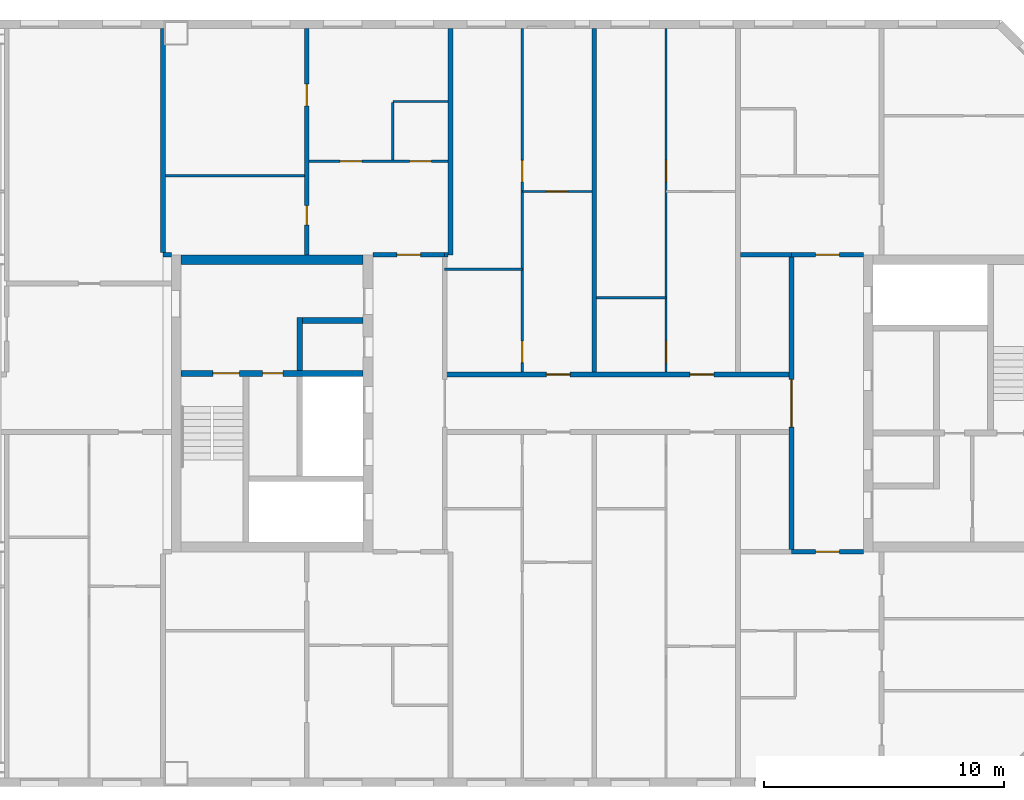
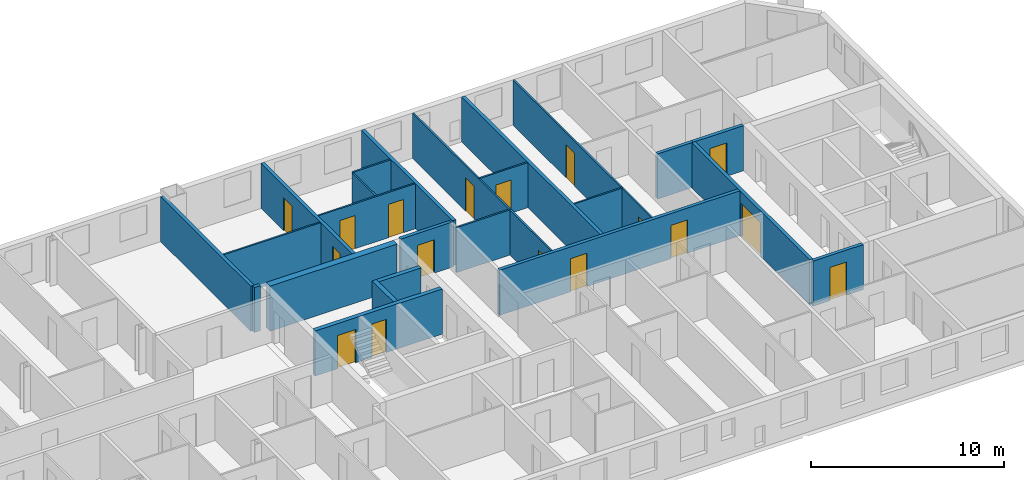
# One storey, part 15 of 19: 25 walls, 17 doors, 17 openings.
"""IFC4 building model written with IfcOpenShell, lengths in metres."""

import ifcopenshell
import ifcopenshell.guid

model = None  # the IFC model being written
_history = None  # IfcOwnerHistory: only IFC2X3 demands one
_inside = {}  # id of a spatial element -> (the spatial element, [elements in it])
_under = {}  # id of a project, library or spatial element -> (it, [spatial elements below it])
_declared = {}  # id of a project -> (the project, [libraries it declares])
_typed = {}  # id of a type object -> (the type object, [elements of that type])
_made_of = {}  # id of a material, layer set ... -> (it, [elements and type objects made of it])


def new_model(schema):
    """Start an empty IFC model of exactly this schema.

    Asked for "IFC4X3", IfcOpenShell would pick the latest addendum, in which some entities
    have other attributes; the version numbers below select the first issue.
    IFC2X3 requires an IfcOwnerHistory on every rooted entity: one is made here for all.
    """
    global model, _history
    if schema == "IFC4X3":
        model = ifcopenshell.file(schema_version=(4, 3, 0, 0))
    else:
        model = ifcopenshell.file(schema=schema)
    _inside.clear()
    _under.clear()
    _declared.clear()
    _typed.clear()
    _made_of.clear()
    _history = None
    if model.schema == "IFC2X3":
        org = make("IfcOrganization", Name="unknown")
        user = make(
            "IfcPersonAndOrganization",
            ThePerson=make("IfcPerson", FamilyName="unknown"),
            TheOrganization=org,
        )
        app = make(
            "IfcApplication",
            ApplicationDeveloper=org,
            Version="unknown",
            ApplicationFullName="unknown",
            ApplicationIdentifier="unknown",
        )
        _history = make(
            "IfcOwnerHistory",
            OwningUser=user,
            OwningApplication=app,
            ChangeAction="ADDED",
            CreationDate=0,
        )
    return model


def make(cls, **values):
    """One entity of the class cls with the attributes given. An attribute that is None is left unset."""
    return model.create_entity(
        cls, **{name: value for name, value in values.items() if value is not None}
    )


def rooted(cls, **values):
    """An entity with a GlobalId (a new one), such as an element, a storey or a relation."""
    return make(cls, GlobalId=ifcopenshell.guid.new(), OwnerHistory=_history, **values)


def si_unit(unit_type, name, prefix=None):
    """IfcSIUnit, for example si_unit("LENGTHUNIT", "METRE", prefix="MILLI")."""
    return make("IfcSIUnit", UnitType=unit_type, Prefix=prefix, Name=name)


def assignment(units):
    """IfcUnitAssignment: the units of a project."""
    return None if units is None else make("IfcUnitAssignment", Units=units)


def point(xyz):
    """IfcCartesianPoint."""
    return None if xyz is None else make("IfcCartesianPoint", Coordinates=xyz)


def direction(xyz):
    """IfcDirection."""
    return None if xyz is None else make("IfcDirection", DirectionRatios=xyz)


def frame(location, z_axis=None, x_axis=None):
    """IfcAxis2Placement3D, a coordinate frame: its origin and axes. An axis left out is left unset."""
    return make(
        "IfcAxis2Placement3D",
        Location=point(location),
        Axis=direction(z_axis),
        RefDirection=direction(x_axis),
    )


def frame_2d(location, x_axis=None):
    """IfcAxis2Placement2D, a coordinate frame in the plane: its origin and x axis."""
    return make(
        "IfcAxis2Placement2D", Location=point(location), RefDirection=direction(x_axis)
    )


def origin():
    """The frame at (0, 0, 0) with its axes left unset."""
    return frame((0.0, 0.0, 0.0))


def place(relative_to, where):
    """IfcLocalPlacement: puts the frame where relative to a parent placement (None: the world)."""
    return make(
        "IfcLocalPlacement", PlacementRelTo=relative_to, RelativePlacement=where
    )


def context(
    kind, dimensions, precision=None, world=None, true_north=None, identifier=None
):
    """IfcGeometricRepresentationContext, for example the 3D "Model" context."""
    return make(
        "IfcGeometricRepresentationContext",
        ContextIdentifier=identifier,
        ContextType=kind,
        CoordinateSpaceDimension=dimensions,
        Precision=precision,
        WorldCoordinateSystem=world,
        TrueNorth=true_north,
    )


def subcontext(parent, identifier, kind, view, scale=None):
    """IfcGeometricRepresentationSubContext, for example "Body" below "Model"."""
    return make(
        "IfcGeometricRepresentationSubContext",
        ContextIdentifier=identifier,
        ContextType=kind,
        ParentContext=parent,
        TargetScale=scale,
        TargetView=view,
    )


def project(units=None, contexts=None):
    """IfcProject with its units and contexts."""
    return rooted(
        "IfcProject",
        Name="project",
        RepresentationContexts=contexts,
        UnitsInContext=assignment(units),
    )


def spatial(cls, under=None, at=None, **own):
    """A site, building, storey or space (cls), placed at a placement, below another one or the project."""
    s = rooted(cls, ObjectPlacement=at, **own)
    if under is not None:
        _under.setdefault(under.id(), (under, []))[1].append(s)
    return s


def profile(cls, at=None, kind="AREA", **sizes):
    """A parametric profile (cls). Its sizes go by their IFC names, for example OverallWidth=200.0."""
    return make(cls, ProfileType=kind, Position=at, **sizes)


def rectangle(**sizes):
    """IfcRectangleProfileDef."""
    return profile("IfcRectangleProfileDef", **sizes)


def extrude(swept, where, along, depth):
    """IfcExtrudedAreaSolid: the profile swept, set in the frame where, extruded along a direction by depth."""
    return make(
        "IfcExtrudedAreaSolid",
        SweptArea=swept,
        Position=where,
        ExtrudedDirection=direction(along),
        Depth=depth,
    )


def shape(context_of_items, identifier, shape_type, items):
    """IfcShapeRepresentation: the items that make up one representation, for example the "Body"."""
    return make(
        "IfcShapeRepresentation",
        ContextOfItems=context_of_items,
        RepresentationIdentifier=identifier,
        RepresentationType=shape_type,
        Items=items,
    )


def material(Name=None, Category=None):
    """IfcMaterial."""
    return make("IfcMaterial", Name=Name, Category=Category)


def layer(
    of_material, thickness, ventilated=None, Name=None, Category=None, Priority=None
):
    """IfcMaterialLayer: one layer of a wall or slab, of a material (None: an air gap)."""
    return make(
        "IfcMaterialLayer",
        Material=of_material,
        LayerThickness=thickness,
        IsVentilated=ventilated,
        Name=Name,
        Category=Category,
        Priority=Priority,
    )


def layer_set(layers, Name=None):
    """IfcMaterialLayerSet."""
    return make("IfcMaterialLayerSet", MaterialLayers=layers, LayerSetName=Name)


def made_of(thing, what):
    """Note that an element or type object is made of a material, layer set ...; save() writes the relation."""
    if what is not None:
        _made_of.setdefault(what.id(), (what, []))[1].append(thing)
    return thing


def type_object(cls, material=None, **own):
    """A type object (cls), such as IfcWallType, which elements share."""
    return made_of(rooted(cls, **own), material)


def element(
    cls,
    number,
    at=None,
    inside=None,
    cuts=None,
    type_object=None,
    material=None,
    context=None,
    identifier="Body",
    shape_type=None,
    held_by="IfcProductDefinitionShape",
    body=None,
    shapes=None,
    **own,
):
    """One element of the class cls, such as IfcWall. Its Tag is "e" and its number.

    at: its placement. inside: the storey or other place that contains it. cuts: it is an
    opening in that element (IfcRelVoidsElement). A single representation is given by context,
    identifier, shape_type and body (its items); several are given by shapes. held_by: the class
    of the entity that holds the representations. save() writes the other relations.
    """
    e = rooted(cls, Tag="e%d" % number, ObjectPlacement=at, **own)
    if body is not None:
        shapes = [shape(context, identifier, shape_type, body)]
    if shapes is not None:
        e.Representation = make(held_by, Representations=shapes)
    if inside is not None:
        _inside.setdefault(inside.id(), (inside, []))[1].append(e)
    if cuts is not None:
        rooted(
            "IfcRelVoidsElement", RelatingBuildingElement=cuts, RelatedOpeningElement=e
        )
    if type_object is not None:
        _typed.setdefault(type_object.id(), (type_object, []))[1].append(e)
    return made_of(e, material)


def fill(opening, filler):
    """IfcRelFillsElement: the door or window that sits in an opening."""
    return rooted(
        "IfcRelFillsElement",
        RelatingOpeningElement=opening,
        RelatedBuildingElement=filler,
    )


def aggregate(whole, parts):
    """IfcRelAggregates: a whole, such as a stair, and the parts it consists of."""
    return rooted("IfcRelAggregates", RelatingObject=whole, RelatedObjects=parts)


def save(model, path):
    """Write the relations noted so far, then the file.

    IfcRelAggregates (storeys below a building ...), IfcRelContainedInSpatialStructure (elements
    in a storey), IfcRelDefinesByType, IfcRelAssociatesMaterial and IfcRelDeclares: one each for
    every whole, place, type object, material and project.
    """
    for whole, parts in _under.values():
        aggregate(whole, parts)
    for where, things in _inside.values():
        rooted(
            "IfcRelContainedInSpatialStructure",
            RelatedElements=things,
            RelatingStructure=where,
        )
    for kind, things in _typed.values():
        rooted("IfcRelDefinesByType", RelatedObjects=things, RelatingType=kind)
    for what, things in _made_of.values():
        rooted("IfcRelAssociatesMaterial", RelatedObjects=things, RelatingMaterial=what)
    for by, libraries in _declared.values():
        rooted("IfcRelDeclares", RelatingContext=by, RelatedDefinitions=libraries)
    model.write(path)


model = new_model("IFC4")

# Units and contexts
model_context = context("Model", 3, precision=1e-05, world=origin(), true_north=direction((0.0, 1.0)))
body_context = subcontext(model_context, "Body", "Model", "MODEL_VIEW")
ifc_project = project(units=[si_unit("LENGTHUNIT", "METRE"), si_unit("AREAUNIT", "SQUARE_METRE"), si_unit("VOLUMEUNIT", "CUBIC_METRE"), si_unit("PLANEANGLEUNIT", "RADIAN"), si_unit("MASSUNIT", "GRAM", prefix="KILO")], contexts=[model_context])

# Site, building, storey
site_placement = place(None, origin())
site = spatial("IfcSite", under=ifc_project, at=site_placement, CompositionType="ELEMENT")
building_placement = place(site_placement, origin())
building = spatial("IfcBuilding", under=site, at=building_placement, Name="Tuart Gate Housing", CompositionType="ELEMENT")
storey_placement = place(building_placement, frame((0.0, 0.0, 230.699951171875)))
storey = spatial("IfcBuildingStorey", under=building, at=storey_placement, Name="L65", CompositionType="ELEMENT", Elevation=230.699951171875)

# Wall, openings, doors
ifc_material_1 = material(Name="Concrete C40", Category="concrete")
ifc_layer_1 = layer(ifc_material_1, 0.25)
ifc_layer_set_1 = layer_set([ifc_layer_1], Name="Core wall 250 C40")
wall_type_1 = type_object("IfcWallType", Name="Core wall 250 C40", PredefinedType="SHEAR", material=ifc_layer_set_1)
wall_1_placement = place(storey_placement, frame((139.360107421875, 71.25, 0.0), z_axis=(0.0, 0.0, 1.0), x_axis=(-1.0, 0.0, 0.0)))
wall_1 = element("IfcWall", 1, at=wall_1_placement, inside=storey, type_object=wall_type_1, Name="Core wall BG.2", PredefinedType="SHEAR", context=body_context, shape_type="SweptSolid", body=[
    extrude(rectangle(XDim=7.60009765625, YDim=0.25, at=frame_2d((3.800048828125, 0.0))), origin(), (0.0, 0.0, 1.0), 2.85009765625),
])
opening_1_placement = place(wall_1_placement, frame((5.175048828125, 0.0, 0.0)))
opening_1 = element("IfcOpeningElement", 2, at=opening_1_placement, cuts=wall_1, Name="Opening D2574", PredefinedType="OPENING", context=body_context, shape_type="SweptSolid", body=[
    extrude(rectangle(XDim=1.10009765625, YDim=2.10009765625, at=frame_2d((0.550048828125, 1.050048828125))), frame((0.0, 0.135009765625, 0.0), z_axis=(0.0, -1.0, 0.0), x_axis=(1.0, 0.0, 0.0)), (0.0, 0.0, 1.0), 0.27001953125),
])
opening_2_placement = place(wall_1_placement, frame((3.35009765625, 0.0, 0.0)))
opening_2 = element("IfcOpeningElement", 3, at=opening_2_placement, cuts=wall_1, Name="Opening D2573", PredefinedType="OPENING", context=body_context, shape_type="SweptSolid", body=[
    extrude(rectangle(XDim=0.85009765625, YDim=2.10009765625, at=frame_2d((0.425048828125, 1.050048828125))), frame((0.0, 0.135009765625, 0.0), z_axis=(0.0, -1.0, 0.0), x_axis=(1.0, 0.0, 0.0)), (0.0, 0.0, 1.0), 0.27001953125),
])
ifc_material_2 = material(Name="Steel fire door", Category="steel")
door_type_1 = type_object("IfcDoorType", Name="Riser door 850 x 2100", OperationType="SINGLE_SWING_LEFT", PredefinedType="DOOR", material=ifc_material_2)
door_1_placement = place(opening_2_placement, origin())
door_1 = element("IfcDoor", 4, at=door_1_placement, inside=storey, type_object=door_type_1, Name="Service room door BG.W1", OperationType="SINGLE_SWING_LEFT", OverallHeight=2.10009765625, OverallWidth=0.85009765625, PredefinedType="DOOR", context=body_context, shape_type="SweptSolid", body=[
    extrude(rectangle(XDim=0.85009765625, YDim=2.10009765625, at=frame_2d((0.425048828125, 1.050048828125))), frame((0.0, 0.02490234375, 0.0), z_axis=(0.0, -1.0, 0.0), x_axis=(1.0, 0.0, 0.0)), (0.0, 0.0, 1.0), 0.050048828125),
])
fill(opening_2, door_1)
ifc_material_3 = material(Name="Steel fire door", Category="steel")
door_type_2 = type_object("IfcDoorType", Name="Stair door 1100 x 2100", OperationType="SINGLE_SWING_LEFT", PredefinedType="DOOR", material=ifc_material_3)
door_2_placement = place(opening_1_placement, origin())
door_2 = element("IfcDoor", 5, at=door_2_placement, inside=storey, type_object=door_type_2, Name="Stair door BG.SD", OperationType="SINGLE_SWING_LEFT", OverallHeight=2.10009765625, OverallWidth=1.10009765625, PredefinedType="DOOR", context=body_context, shape_type="SweptSolid", body=[
    extrude(rectangle(XDim=1.10009765625, YDim=2.10009765625, at=frame_2d((0.550048828125, 1.050048828125))), frame((0.0, 0.02490234375, 0.0), z_axis=(0.0, -1.0, 0.0), x_axis=(1.0, 0.0, 0.0)), (0.0, 0.0, 1.0), 0.050048828125),
])
fill(opening_1, door_2)

# Walls
wall_2_placement = place(storey_placement, frame((139.360107421875, 73.449951171875, 0.0), z_axis=(0.0, 0.0, 1.0), x_axis=(-1.0, 0.0, 0.0)))
element("IfcWall", 6, at=wall_2_placement, inside=storey, type_object=wall_type_1, Name="Core wall BG.3", PredefinedType="SHEAR", context=body_context, shape_type="SweptSolid", body=[
    extrude(rectangle(XDim=2.525146484375, YDim=0.25, at=frame_2d((1.2626953125, 0.0))), origin(), (0.0, 0.0, 1.0), 2.85009765625),
])
wall_3_placement = place(storey_placement, frame((136.7099609375, 71.375, 0.0), z_axis=(0.0, 0.0, 1.0), x_axis=(0.0, 1.0, 0.0)))
element("IfcWall", 7, at=wall_3_placement, inside=storey, type_object=wall_type_1, Name="Core wall BG.5", PredefinedType="SHEAR", context=body_context, shape_type="SweptSolid", body=[
    extrude(rectangle(XDim=2.199951171875, YDim=0.25, at=frame_2d((1.10009765625, 0.0))), origin(), (0.0, 0.0, 1.0), 2.85009765625),
])
ifc_material_4 = material(Name="Concrete C40", Category="concrete")
ifc_layer_2 = layer(ifc_material_4, 0.39990234375)
ifc_layer_set_2 = layer_set([ifc_layer_2], Name="Core wall 400 C40")
wall_type_2 = type_object("IfcWallType", Name="Core wall 400 C40", PredefinedType="SHEAR", material=ifc_layer_set_2)
wall_4_placement = place(storey_placement, frame((139.360107421875, 76.0, 0.0), z_axis=(0.0, 0.0, 1.0), x_axis=(-1.0, 0.0, 0.0)))
element("IfcWall", 8, at=wall_4_placement, inside=storey, type_object=wall_type_2, Name="Core wall BG north", PredefinedType="SHEAR", context=body_context, shape_type="SweptSolid", body=[
    extrude(rectangle(XDim=7.60009765625, YDim=0.39990234375, at=frame_2d((3.800048828125, 0.0))), origin(), (0.0, 0.0, 1.0), 2.85009765625),
])

# Wall, openings, doors
ifc_material_5 = material(Name="Concrete masonry 15 MPa", Category="masonry")
ifc_layer_3 = layer(ifc_material_5, 0.199951171875)
ifc_layer_set_3 = layer_set([ifc_layer_3], Name="Corridor wall masonry 200")
wall_type_3 = type_object("IfcWallType", Name="Corridor wall masonry 200", PredefinedType="PARTITIONING", material=ifc_layer_set_3)
wall_5_placement = place(storey_placement, frame((142.760009765625, 71.199951171875, 0.0), z_axis=(0.0, 0.0, 1.0), x_axis=(1.0, 0.0, 0.0)))
wall_5 = element("IfcWall", 9, at=wall_5_placement, inside=storey, type_object=wall_type_3, Name="Corridor wall masonry 200", PredefinedType="PARTITIONING", context=body_context, shape_type="SweptSolid", body=[
    extrude(rectangle(XDim=14.47998046875, YDim=0.199951171875, at=frame_2d((7.239990234375, 0.0))), origin(), (0.0, 0.0, 1.0), 2.85009765625),
])
opening_3_placement = place(wall_5_placement, frame((4.239990234375, 0.0, 0.0)))
opening_3 = element("IfcOpeningElement", 10, at=opening_3_placement, cuts=wall_5, Name="Opening D2575", PredefinedType="OPENING", context=body_context, shape_type="SweptSolid", body=[
    extrude(rectangle(XDim=1.0, YDim=2.10009765625, at=frame_2d((0.5, 1.050048828125))), frame((0.0, 0.10986328125, 0.0), z_axis=(0.0, -1.0, 0.0), x_axis=(1.0, 0.0, 0.0)), (0.0, 0.0, 1.0), 0.219970703125),
])
opening_4_placement = place(wall_5_placement, frame((10.239990234375, 0.0, 0.0)))
opening_4 = element("IfcOpeningElement", 11, at=opening_4_placement, cuts=wall_5, Name="Opening D2576", PredefinedType="OPENING", context=body_context, shape_type="SweptSolid", body=[
    extrude(rectangle(XDim=1.0, YDim=2.10009765625, at=frame_2d((0.5, 1.050048828125))), frame((0.0, 0.10986328125, 0.0), z_axis=(0.0, -1.0, 0.0), x_axis=(1.0, 0.0, 0.0)), (0.0, 0.0, 1.0), 0.219970703125),
])
ifc_material_6 = material(Name="Timber door leaf in steel frame", Category="steel")
door_type_3 = type_object("IfcDoorType", Name="Flat entrance door 1000", OperationType="SINGLE_SWING_LEFT", PredefinedType="DOOR", material=ifc_material_6)
door_3_placement = place(opening_3_placement, origin())
door_3 = element("IfcDoor", 12, at=door_3_placement, inside=storey, type_object=door_type_3, Name="Flat entrance door", OperationType="SINGLE_SWING_LEFT", OverallHeight=2.10009765625, OverallWidth=1.0, PredefinedType="DOOR", context=body_context, shape_type="SweptSolid", body=[
    extrude(rectangle(XDim=1.0, YDim=2.10009765625, at=frame_2d((0.5, 1.050048828125))), frame((0.0, 0.02490234375, 0.0), z_axis=(0.0, -1.0, 0.0), x_axis=(1.0, 0.0, 0.0)), (0.0, 0.0, 1.0), 0.050048828125),
])
fill(opening_3, door_3)
door_4_placement = place(opening_4_placement, origin())
door_4 = element("IfcDoor", 13, at=door_4_placement, inside=storey, type_object=door_type_3, Name="Flat entrance door", OperationType="SINGLE_SWING_LEFT", OverallHeight=2.10009765625, OverallWidth=1.0, PredefinedType="DOOR", context=body_context, shape_type="SweptSolid", body=[
    extrude(rectangle(XDim=1.0, YDim=2.10009765625, at=frame_2d((0.5, 1.050048828125))), frame((0.0, 0.02490234375, 0.0), z_axis=(0.0, -1.0, 0.0), x_axis=(1.0, 0.0, 0.0)), (0.0, 0.0, 1.0), 0.050048828125),
])
fill(opening_4, door_4)

# Wall, opening, door
ifc_material_7 = material(Name="Concrete masonry 15 MPa", Category="masonry")
ifc_layer_4 = layer(ifc_material_7, 0.199951171875)
ifc_layer_set_4 = layer_set([ifc_layer_4], Name="Enclosure wall masonry 200")
wall_type_4 = type_object("IfcWallType", Name="Enclosure wall masonry 200", PredefinedType="PARTITIONING", material=ifc_layer_set_4)
wall_6_placement = place(storey_placement, frame((157.239990234375, 63.800048828125, 0.0), z_axis=(0.0, 0.0, 1.0), x_axis=(1.0, 0.0, 0.0)))
wall_6 = element("IfcWall", 14, at=wall_6_placement, inside=storey, type_object=wall_type_4, Name="Enclosure wall masonry 200", PredefinedType="PARTITIONING", context=body_context, shape_type="SweptSolid", body=[
    extrude(rectangle(XDim=3.0, YDim=0.199951171875, at=frame_2d((1.5, 0.0))), origin(), (0.0, 0.0, 1.0), 2.85009765625),
])
opening_5_placement = place(wall_6_placement, frame((1.0, 0.0, 0.0)))
opening_5 = element("IfcOpeningElement", 15, at=opening_5_placement, cuts=wall_6, Name="Opening D2591", PredefinedType="OPENING", context=body_context, shape_type="SweptSolid", body=[
    extrude(rectangle(XDim=1.0, YDim=2.10009765625, at=frame_2d((0.5, 1.050048828125))), frame((0.0, 0.10986328125, 0.0), z_axis=(0.0, -1.0, 0.0), x_axis=(1.0, 0.0, 0.0)), (0.0, 0.0, 1.0), 0.219970703125),
])
door_5_placement = place(opening_5_placement, frame((1.0, 0.0, 0.0), z_axis=(0.0, 0.0, 1.0), x_axis=(-1.0, 0.0, 0.0)))
door_5 = element("IfcDoor", 16, at=door_5_placement, inside=storey, type_object=door_type_3, Name="Flat entrance door", OperationType="SINGLE_SWING_LEFT", OverallHeight=2.10009765625, OverallWidth=1.0, PredefinedType="DOOR", context=body_context, shape_type="SweptSolid", body=[
    extrude(rectangle(XDim=1.0, YDim=2.10009765625, at=frame_2d((0.5, 1.050048828125))), frame((0.0, 0.025146484375, 0.0), z_axis=(0.0, -1.0, 0.0), x_axis=(1.0, 0.0, 0.0)), (0.0, 0.0, 1.0), 0.050048828125),
])
fill(opening_5, door_5)

wall_7_placement = place(storey_placement, frame((139.760009765625, 76.199951171875, 0.0), z_axis=(0.0, 0.0, 1.0), x_axis=(1.0, 0.0, 0.0)))
wall_7 = element("IfcWall", 17, at=wall_7_placement, inside=storey, type_object=wall_type_4, Name="Enclosure wall masonry 200", PredefinedType="PARTITIONING", context=body_context, shape_type="SweptSolid", body=[
    extrude(rectangle(XDim=3.0, YDim=0.199951171875, at=frame_2d((1.5, 0.0))), origin(), (0.0, 0.0, 1.0), 2.85009765625),
])
opening_6_placement = place(wall_7_placement, frame((1.0, 0.0, 0.0)))
opening_6 = element("IfcOpeningElement", 18, at=opening_6_placement, cuts=wall_7, Name="Opening D2571", PredefinedType="OPENING", context=body_context, shape_type="SweptSolid", body=[
    extrude(rectangle(XDim=1.0, YDim=2.10009765625, at=frame_2d((0.5, 1.050048828125))), frame((0.0, 0.10986328125, 0.0), z_axis=(0.0, -1.0, 0.0), x_axis=(1.0, 0.0, 0.0)), (0.0, 0.0, 1.0), 0.219970703125),
])
ifc_material_8 = material(Name="Timber door leaf in steel frame", Category="steel")
door_type_4 = type_object("IfcDoorType", Name="Flat entrance door 1000 RH", OperationType="SINGLE_SWING_RIGHT", PredefinedType="DOOR", material=ifc_material_8)
door_6_placement = place(opening_6_placement, origin())
door_6 = element("IfcDoor", 19, at=door_6_placement, inside=storey, type_object=door_type_4, Name="Flat entrance door", OperationType="SINGLE_SWING_RIGHT", OverallHeight=2.10009765625, OverallWidth=1.0, PredefinedType="DOOR", context=body_context, shape_type="SweptSolid", body=[
    extrude(rectangle(XDim=1.0, YDim=2.10009765625, at=frame_2d((0.5, 1.050048828125))), frame((0.0, 0.02490234375, 0.0), z_axis=(0.0, -1.0, 0.0), x_axis=(1.0, 0.0, 0.0)), (0.0, 0.0, 1.0), 0.050048828125),
])
fill(opening_6, door_6)

wall_8_placement = place(storey_placement, frame((157.239990234375, 76.199951171875, 0.0), z_axis=(0.0, 0.0, 1.0), x_axis=(1.0, 0.0, 0.0)))
wall_8 = element("IfcWall", 20, at=wall_8_placement, inside=storey, type_object=wall_type_4, Name="Enclosure wall masonry 200", PredefinedType="PARTITIONING", context=body_context, shape_type="SweptSolid", body=[
    extrude(rectangle(XDim=3.0, YDim=0.199951171875, at=frame_2d((1.5, 0.0))), origin(), (0.0, 0.0, 1.0), 2.85009765625),
])
opening_7_placement = place(wall_8_placement, frame((1.0, 0.0, 0.0)))
opening_7 = element("IfcOpeningElement", 21, at=opening_7_placement, cuts=wall_8, Name="Opening D2572", PredefinedType="OPENING", context=body_context, shape_type="SweptSolid", body=[
    extrude(rectangle(XDim=1.0, YDim=2.10009765625, at=frame_2d((0.5, 1.050048828125))), frame((0.0, 0.10986328125, 0.0), z_axis=(0.0, -1.0, 0.0), x_axis=(1.0, 0.0, 0.0)), (0.0, 0.0, 1.0), 0.219970703125),
])
door_7_placement = place(opening_7_placement, origin())
door_7 = element("IfcDoor", 22, at=door_7_placement, inside=storey, type_object=door_type_4, Name="Flat entrance door", OperationType="SINGLE_SWING_RIGHT", OverallHeight=2.10009765625, OverallWidth=1.0, PredefinedType="DOOR", context=body_context, shape_type="SweptSolid", body=[
    extrude(rectangle(XDim=1.0, YDim=2.10009765625, at=frame_2d((0.5, 1.050048828125))), frame((0.0, 0.02490234375, 0.0), z_axis=(0.0, -1.0, 0.0), x_axis=(1.0, 0.0, 0.0)), (0.0, 0.0, 1.0), 0.050048828125),
])
fill(opening_7, door_7)

ifc_material_9 = material(Name="Plasterboard partition")
ifc_layer_5 = layer(ifc_material_9, 0.199951171875)
ifc_layer_set_5 = layer_set([ifc_layer_5], Name="Lobby wall 200")
wall_type_5 = type_object("IfcWallType", Name="Lobby wall 200", PredefinedType="PARTITIONING", material=ifc_layer_set_5)
wall_9_placement = place(storey_placement, frame((157.239990234375, 63.89990234375, 0.0), z_axis=(0.0, 0.0, 1.0), x_axis=(0.0, 1.0, 0.0)))
wall_9 = element("IfcWall", 23, at=wall_9_placement, inside=storey, type_object=wall_type_5, Name="Lift lobby wall BK", PredefinedType="PARTITIONING", context=body_context, shape_type="SweptSolid", body=[
    extrude(rectangle(XDim=12.2001953125, YDim=0.199951171875, at=frame_2d((6.10009765625, 0.0))), origin(), (0.0, 0.0, 1.0), 2.85009765625),
])
opening_8_placement = place(wall_9_placement, frame((5.10009765625, 0.0, 0.0)))
opening_8 = element("IfcOpeningElement", 24, at=opening_8_placement, cuts=wall_9, Name="Opening D2581", PredefinedType="OPENING", context=body_context, shape_type="SweptSolid", body=[
    extrude(rectangle(XDim=2.0, YDim=2.10009765625, at=frame_2d((1.0, 1.050048828125))), frame((0.0, 0.10986328125, 0.0), z_axis=(0.0, -1.0, 0.0), x_axis=(1.0, 0.0, 0.0)), (0.0, 0.0, 1.0), 0.219970703125),
])
ifc_material_10 = material(Name="Steel fire door", Category="steel")
door_type_5 = type_object("IfcDoorType", Name="Smoke door 2000 x 2100", OperationType="DOUBLE_DOOR_SINGLE_SWING", PredefinedType="DOOR", material=ifc_material_10)
door_8_placement = place(opening_8_placement, frame((2.0, 0.0, 0.0), z_axis=(0.0, 0.0, 1.0), x_axis=(-1.0, 0.0, 0.0)))
door_8 = element("IfcDoor", 25, at=door_8_placement, inside=storey, type_object=door_type_5, Name="Lift lobby smoke door BK", OperationType="DOUBLE_DOOR_SINGLE_SWING", OverallHeight=2.10009765625, OverallWidth=2.0, PredefinedType="DOOR", context=body_context, shape_type="SweptSolid", body=[
    extrude(rectangle(XDim=2.0, YDim=2.10009765625, at=frame_2d((1.0, 1.050048828125))), frame((0.0, 0.025146484375, 0.0), z_axis=(0.0, -1.0, 0.0), x_axis=(1.0, 0.0, 0.0)), (0.0, 0.0, 1.0), 0.050048828125),
])
fill(opening_8, door_8)

# Walls
ifc_material_11 = material(Name="Gypsum board on steel studs", Category="steel")
ifc_layer_6 = layer(ifc_material_11, 0.10009765625)
ifc_layer_set_6 = layer_set([ifc_layer_6], Name="Partition 100")
wall_type_6 = type_object("IfcWallType", Name="Partition 100", PredefinedType="PARTITIONING", material=ifc_layer_set_6)
wall_10_placement = place(storey_placement, frame((149.10009765625, 74.39990234375, 0.0), z_axis=(0.0, 0.0, 1.0), x_axis=(1.0, 0.0, 0.0)))
element("IfcWall", 26, at=wall_10_placement, inside=storey, type_object=wall_type_6, Name="Partition 100", PredefinedType="PARTITIONING", context=body_context, shape_type="SweptSolid", body=[
    extrude(rectangle(XDim=2.89990234375, YDim=0.10009765625, at=frame_2d((1.449951171875, 0.0))), origin(), (0.0, 0.0, 1.0), 2.85009765625),
])
wall_11_placement = place(storey_placement, frame((142.760009765625, 75.60009765625, 0.0), z_axis=(0.0, 0.0, 1.0), x_axis=(1.0, 0.0, 0.0)))
element("IfcWall", 27, at=wall_11_placement, inside=storey, type_object=wall_type_6, Name="Partition 100", PredefinedType="PARTITIONING", context=body_context, shape_type="SweptSolid", body=[
    extrude(rectangle(XDim=3.239990234375, YDim=0.10009765625, at=frame_2d((1.6201171875, 0.0))), origin(), (0.0, 0.0, 1.0), 2.85009765625),
])

# Wall, opening, door
wall_12_placement = place(storey_placement, frame((146.0, 78.840087890625, 0.0), z_axis=(0.0, 0.0, 1.0), x_axis=(1.0, 0.0, 0.0)))
wall_12 = element("IfcWall", 28, at=wall_12_placement, inside=storey, type_object=wall_type_6, Name="Partition 100", PredefinedType="PARTITIONING", context=body_context, shape_type="SweptSolid", body=[
    extrude(rectangle(XDim=2.89990234375, YDim=0.10009765625, at=frame_2d((1.449951171875, 0.0))), origin(), (0.0, 0.0, 1.0), 2.85009765625),
])
opening_9_placement = place(wall_12_placement, frame((1.0, 0.0, 0.0)))
opening_9 = element("IfcOpeningElement", 29, at=opening_9_placement, cuts=wall_12, Name="Opening D2565", PredefinedType="OPENING", context=body_context, shape_type="SweptSolid", body=[
    extrude(rectangle(XDim=0.89990234375, YDim=2.10009765625, at=frame_2d((0.449951171875, 1.050048828125))), frame((0.0, 0.06005859375, 0.0), z_axis=(0.0, -1.0, 0.0), x_axis=(1.0, 0.0, 0.0)), (0.0, 0.0, 1.0), 0.1201171875),
])
ifc_material_12 = material(Name="Timber door leaf in steel frame", Category="steel")
door_type_6 = type_object("IfcDoorType", Name="Internal door 900 RH", OperationType="SINGLE_SWING_RIGHT", PredefinedType="DOOR", material=ifc_material_12)
door_9_placement = place(opening_9_placement, frame((0.89990234375, 0.0, 0.0), z_axis=(0.0, 0.0, 1.0), x_axis=(-1.0, 0.0, 0.0)))
door_9 = element("IfcDoor", 30, at=door_9_placement, inside=storey, type_object=door_type_6, Name="Internal door", OperationType="SINGLE_SWING_RIGHT", OverallHeight=2.10009765625, OverallWidth=0.89990234375, PredefinedType="DOOR", context=body_context, shape_type="SweptSolid", body=[
    extrude(rectangle(XDim=0.89990234375, YDim=2.10009765625, at=frame_2d((0.449951171875, 1.050048828125))), frame((0.0, 0.025146484375, 0.0), z_axis=(0.0, -1.0, 0.0), x_axis=(1.0, 0.0, 0.0)), (0.0, 0.0, 1.0), 0.050048828125),
])
fill(opening_9, door_9)

# Wall
wall_13_placement = place(storey_placement, frame((131.10009765625, 79.5, 0.0), z_axis=(0.0, 0.0, 1.0), x_axis=(1.0, 0.0, 0.0)))
element("IfcWall", 31, at=wall_13_placement, inside=storey, type_object=wall_type_6, Name="Partition 100", PredefinedType="PARTITIONING", context=body_context, shape_type="SweptSolid", body=[
    extrude(rectangle(XDim=5.7998046875, YDim=0.10009765625, at=frame_2d((2.89990234375, 0.0))), origin(), (0.0, 0.0, 1.0), 2.85009765625),
])

# Wall, openings, doors
wall_14_placement = place(storey_placement, frame((137.10009765625, 80.10009765625, 0.0), z_axis=(0.0, 0.0, 1.0), x_axis=(1.0, 0.0, 0.0)))
wall_14 = element("IfcWall", 32, at=wall_14_placement, inside=storey, type_object=wall_type_6, Name="Partition 100", PredefinedType="PARTITIONING", context=body_context, shape_type="SweptSolid", body=[
    extrude(rectangle(XDim=5.7998046875, YDim=0.10009765625, at=frame_2d((2.89990234375, 0.0))), origin(), (0.0, 0.0, 1.0), 2.85009765625),
])
opening_10_placement = place(wall_14_placement, frame((1.300048828125, 0.0, 0.0)))
opening_10 = element("IfcOpeningElement", 33, at=opening_10_placement, cuts=wall_14, Name="Opening D2562", PredefinedType="OPENING", context=body_context, shape_type="SweptSolid", body=[
    extrude(rectangle(XDim=0.89990234375, YDim=2.10009765625, at=frame_2d((0.449951171875, 1.050048828125))), frame((0.0, 0.06005859375, 0.0), z_axis=(0.0, -1.0, 0.0), x_axis=(1.0, 0.0, 0.0)), (0.0, 0.0, 1.0), 0.1201171875),
])
opening_11_placement = place(wall_14_placement, frame((4.199951171875, 0.0, 0.0)))
opening_11 = element("IfcOpeningElement", 34, at=opening_11_placement, cuts=wall_14, Name="Opening D2561", PredefinedType="OPENING", context=body_context, shape_type="SweptSolid", body=[
    extrude(rectangle(XDim=0.89990234375, YDim=2.10009765625, at=frame_2d((0.449951171875, 1.050048828125))), frame((0.0, 0.06005859375, 0.0), z_axis=(0.0, -1.0, 0.0), x_axis=(1.0, 0.0, 0.0)), (0.0, 0.0, 1.0), 0.1201171875),
])
ifc_material_13 = material(Name="Timber door leaf in steel frame", Category="steel")
door_type_7 = type_object("IfcDoorType", Name="Bathroom door 900", OperationType="SINGLE_SWING_LEFT", PredefinedType="DOOR", material=ifc_material_13)
door_10_placement = place(opening_11_placement, origin())
door_10 = element("IfcDoor", 35, at=door_10_placement, inside=storey, type_object=door_type_7, Name="Bathroom door", OperationType="SINGLE_SWING_LEFT", OverallHeight=2.10009765625, OverallWidth=0.89990234375, PredefinedType="DOOR", context=body_context, shape_type="SweptSolid", body=[
    extrude(rectangle(XDim=0.89990234375, YDim=2.10009765625, at=frame_2d((0.449951171875, 1.050048828125))), frame((0.0, 0.02490234375, 0.0), z_axis=(0.0, -1.0, 0.0), x_axis=(1.0, 0.0, 0.0)), (0.0, 0.0, 1.0), 0.050048828125),
])
fill(opening_11, door_10)
door_11_placement = place(opening_10_placement, frame((0.89990234375, 0.0, 0.0), z_axis=(0.0, 0.0, 1.0), x_axis=(-1.0, 0.0, 0.0)))
door_11 = element("IfcDoor", 36, at=door_11_placement, inside=storey, type_object=door_type_6, Name="Internal door", OperationType="SINGLE_SWING_RIGHT", OverallHeight=2.10009765625, OverallWidth=0.89990234375, PredefinedType="DOOR", context=body_context, shape_type="SweptSolid", body=[
    extrude(rectangle(XDim=0.89990234375, YDim=2.10009765625, at=frame_2d((0.449951171875, 1.050048828125))), frame((0.0, 0.025146484375, 0.0), z_axis=(0.0, -1.0, 0.0), x_axis=(1.0, 0.0, 0.0)), (0.0, 0.0, 1.0), 0.050048828125),
])
fill(opening_10, door_11)

# Walls
wall_15_placement = place(storey_placement, frame((140.60009765625, 82.60009765625, 0.0), z_axis=(0.0, 0.0, 1.0), x_axis=(1.0, 0.0, 0.0)))
element("IfcWall", 37, at=wall_15_placement, inside=storey, type_object=wall_type_6, Name="Partition 100", PredefinedType="PARTITIONING", context=body_context, shape_type="SweptSolid", body=[
    extrude(rectangle(XDim=2.2998046875, YDim=0.10009765625, at=frame_2d((1.14990234375, 0.0))), origin(), (0.0, 0.0, 1.0), 2.85009765625),
])
wall_16_placement = place(storey_placement, frame((140.60009765625, 80.14990234375, 0.0), z_axis=(0.0, 0.0, 1.0), x_axis=(0.0, 1.0, 0.0)))
element("IfcWall", 38, at=wall_16_placement, inside=storey, type_object=wall_type_6, Name="Partition 100", PredefinedType="PARTITIONING", context=body_context, shape_type="SweptSolid", body=[
    extrude(rectangle(XDim=2.400146484375, YDim=0.10009765625, at=frame_2d((1.2001953125, 0.0))), origin(), (0.0, 0.0, 1.0), 2.85009765625),
])

# Wall, openings, doors
wall_17_placement = place(storey_placement, frame((146.0, 71.300048828125, 0.0), z_axis=(0.0, 0.0, 1.0), x_axis=(0.0, 1.0, 0.0)))
wall_17 = element("IfcWall", 39, at=wall_17_placement, inside=storey, type_object=wall_type_6, Name="Partition 100", PredefinedType="PARTITIONING", context=body_context, shape_type="SweptSolid", body=[
    extrude(rectangle(XDim=14.33984375, YDim=0.10009765625, at=frame_2d((7.169921875, 0.0))), origin(), (0.0, 0.0, 1.0), 2.85009765625),
])
opening_12_placement = place(wall_17_placement, frame((7.93994140625, 0.0, 0.0)))
opening_12 = element("IfcOpeningElement", 40, at=opening_12_placement, cuts=wall_17, Name="Opening D2568", PredefinedType="OPENING", context=body_context, shape_type="SweptSolid", body=[
    extrude(rectangle(XDim=0.89990234375, YDim=2.10009765625, at=frame_2d((0.449951171875, 1.050048828125))), frame((0.0, 0.06005859375, 0.0), z_axis=(0.0, -1.0, 0.0), x_axis=(1.0, 0.0, 0.0)), (0.0, 0.0, 1.0), 0.1201171875),
])
opening_13_placement = place(wall_17_placement, frame((0.39990234375, 0.0, 0.0)))
opening_13 = element("IfcOpeningElement", 41, at=opening_13_placement, cuts=wall_17, Name="Opening D2567", PredefinedType="OPENING", context=body_context, shape_type="SweptSolid", body=[
    extrude(rectangle(XDim=0.89990234375, YDim=2.10009765625, at=frame_2d((0.449951171875, 1.050048828125))), frame((0.0, 0.06005859375, 0.0), z_axis=(0.0, -1.0, 0.0), x_axis=(1.0, 0.0, 0.0)), (0.0, 0.0, 1.0), 0.1201171875),
])
door_12_placement = place(opening_13_placement, origin())
door_12 = element("IfcDoor", 42, at=door_12_placement, inside=storey, type_object=door_type_7, Name="Bathroom door", OperationType="SINGLE_SWING_LEFT", OverallHeight=2.10009765625, OverallWidth=0.89990234375, PredefinedType="DOOR", context=body_context, shape_type="SweptSolid", body=[
    extrude(rectangle(XDim=0.89990234375, YDim=2.10009765625, at=frame_2d((0.449951171875, 1.050048828125))), frame((0.0, 0.02490234375, 0.0), z_axis=(0.0, -1.0, 0.0), x_axis=(1.0, 0.0, 0.0)), (0.0, 0.0, 1.0), 0.050048828125),
])
fill(opening_13, door_12)
ifc_material_14 = material(Name="Timber door leaf in steel frame", Category="steel")
door_type_8 = type_object("IfcDoorType", Name="Internal door 900", OperationType="SINGLE_SWING_LEFT", PredefinedType="DOOR", material=ifc_material_14)
door_13_placement = place(opening_12_placement, origin())
door_13 = element("IfcDoor", 43, at=door_13_placement, inside=storey, type_object=door_type_8, Name="Internal door", OperationType="SINGLE_SWING_LEFT", OverallHeight=2.10009765625, OverallWidth=0.89990234375, PredefinedType="DOOR", context=body_context, shape_type="SweptSolid", body=[
    extrude(rectangle(XDim=0.89990234375, YDim=2.10009765625, at=frame_2d((0.449951171875, 1.050048828125))), frame((0.0, 0.02490234375, 0.0), z_axis=(0.0, -1.0, 0.0), x_axis=(1.0, 0.0, 0.0)), (0.0, 0.0, 1.0), 0.050048828125),
])
fill(opening_12, door_13)

wall_18_placement = place(storey_placement, frame((152.0, 71.300048828125, 0.0), z_axis=(0.0, 0.0, 1.0), x_axis=(0.0, 1.0, 0.0)))
wall_18 = element("IfcWall", 44, at=wall_18_placement, inside=storey, type_object=wall_type_6, Name="Partition 100", PredefinedType="PARTITIONING", context=body_context, shape_type="SweptSolid", body=[
    extrude(rectangle(XDim=14.33984375, YDim=0.10009765625, at=frame_2d((7.169921875, 0.0))), origin(), (0.0, 0.0, 1.0), 2.85009765625),
])
opening_14_placement = place(wall_18_placement, frame((7.93994140625, 0.0, 0.0)))
opening_14 = element("IfcOpeningElement", 45, at=opening_14_placement, cuts=wall_18, Name="Opening D2570", PredefinedType="OPENING", context=body_context, shape_type="SweptSolid", body=[
    extrude(rectangle(XDim=0.89990234375, YDim=2.10009765625, at=frame_2d((0.449951171875, 1.050048828125))), frame((0.0, 0.06005859375, 0.0), z_axis=(0.0, -1.0, 0.0), x_axis=(1.0, 0.0, 0.0)), (0.0, 0.0, 1.0), 0.1201171875),
])
opening_15_placement = place(wall_18_placement, frame((0.39990234375, 0.0, 0.0)))
opening_15 = element("IfcOpeningElement", 46, at=opening_15_placement, cuts=wall_18, Name="Opening D2569", PredefinedType="OPENING", context=body_context, shape_type="SweptSolid", body=[
    extrude(rectangle(XDim=0.89990234375, YDim=2.10009765625, at=frame_2d((0.449951171875, 1.050048828125))), frame((0.0, 0.06005859375, 0.0), z_axis=(0.0, -1.0, 0.0), x_axis=(1.0, 0.0, 0.0)), (0.0, 0.0, 1.0), 0.1201171875),
])
door_14_placement = place(opening_15_placement, origin())
door_14 = element("IfcDoor", 47, at=door_14_placement, inside=storey, type_object=door_type_7, Name="Bathroom door", OperationType="SINGLE_SWING_LEFT", OverallHeight=2.10009765625, OverallWidth=0.89990234375, PredefinedType="DOOR", context=body_context, shape_type="SweptSolid", body=[
    extrude(rectangle(XDim=0.89990234375, YDim=2.10009765625, at=frame_2d((0.449951171875, 1.050048828125))), frame((0.0, 0.02490234375, 0.0), z_axis=(0.0, -1.0, 0.0), x_axis=(1.0, 0.0, 0.0)), (0.0, 0.0, 1.0), 0.050048828125),
])
fill(opening_15, door_14)
door_15_placement = place(opening_14_placement, origin())
door_15 = element("IfcDoor", 48, at=door_15_placement, inside=storey, type_object=door_type_8, Name="Internal door", OperationType="SINGLE_SWING_LEFT", OverallHeight=2.10009765625, OverallWidth=0.89990234375, PredefinedType="DOOR", context=body_context, shape_type="SweptSolid", body=[
    extrude(rectangle(XDim=0.89990234375, YDim=2.10009765625, at=frame_2d((0.449951171875, 1.050048828125))), frame((0.0, 0.02490234375, 0.0), z_axis=(0.0, -1.0, 0.0), x_axis=(1.0, 0.0, 0.0)), (0.0, 0.0, 1.0), 0.050048828125),
])
fill(opening_14, door_15)

ifc_material_15 = material(Name="Concrete C40", Category="concrete")
ifc_layer_7 = layer(ifc_material_15, 0.199951171875)
ifc_layer_set_7 = layer_set([ifc_layer_7], Name="Party wall concrete C40 200")
wall_type_7 = type_object("IfcWallType", Name="Party wall concrete C40 200", PredefinedType="SOLIDWALL", material=ifc_layer_set_7)
wall_19_placement = place(storey_placement, frame((137.0, 76.199951171875, 0.0), z_axis=(0.0, 0.0, 1.0), x_axis=(0.0, 1.0, 0.0)))
wall_19 = element("IfcWall", 49, at=wall_19_placement, inside=storey, type_object=wall_type_7, Name="Party wall concrete C40 200", PredefinedType="SOLIDWALL", context=body_context, shape_type="SweptSolid", body=[
    extrude(rectangle(XDim=9.43994140625, YDim=0.199951171875, at=frame_2d((4.719970703125, 0.0))), origin(), (0.0, 0.0, 1.0), 2.85009765625),
])
opening_16_placement = place(wall_19_placement, frame((6.219970703125, 0.0, 0.0)))
opening_16 = element("IfcOpeningElement", 50, at=opening_16_placement, cuts=wall_19, Name="Opening D2558", PredefinedType="OPENING", context=body_context, shape_type="SweptSolid", body=[
    extrude(rectangle(XDim=0.89990234375, YDim=2.10009765625, at=frame_2d((0.449951171875, 1.050048828125))), frame((0.0, 0.10986328125, 0.0), z_axis=(0.0, -1.0, 0.0), x_axis=(1.0, 0.0, 0.0)), (0.0, 0.0, 1.0), 0.219970703125),
])
opening_17_placement = place(wall_19_placement, frame((1.25, 0.0, 0.0)))
opening_17 = element("IfcOpeningElement", 51, at=opening_17_placement, cuts=wall_19, Name="Opening D2559", PredefinedType="OPENING", context=body_context, shape_type="SweptSolid", body=[
    extrude(rectangle(XDim=0.800048828125, YDim=2.10009765625, at=frame_2d((0.39990234375, 1.050048828125))), frame((0.0, 0.10986328125, 0.0), z_axis=(0.0, -1.0, 0.0), x_axis=(1.0, 0.0, 0.0)), (0.0, 0.0, 1.0), 0.219970703125),
])
door_16_placement = place(opening_16_placement, origin())
door_16 = element("IfcDoor", 52, at=door_16_placement, inside=storey, type_object=door_type_6, Name="Internal door", OperationType="SINGLE_SWING_RIGHT", OverallHeight=2.10009765625, OverallWidth=0.89990234375, PredefinedType="DOOR", context=body_context, shape_type="SweptSolid", body=[
    extrude(rectangle(XDim=0.89990234375, YDim=2.10009765625, at=frame_2d((0.449951171875, 1.050048828125))), frame((0.0, 0.02490234375, 0.0), z_axis=(0.0, -1.0, 0.0), x_axis=(1.0, 0.0, 0.0)), (0.0, 0.0, 1.0), 0.050048828125),
])
fill(opening_16, door_16)
ifc_material_16 = material(Name="Timber door leaf in steel frame", Category="steel")
door_type_9 = type_object("IfcDoorType", Name="Store door 800", OperationType="SINGLE_SWING_LEFT", PredefinedType="DOOR", material=ifc_material_16)
door_17_placement = place(opening_17_placement, origin())
door_17 = element("IfcDoor", 53, at=door_17_placement, inside=storey, type_object=door_type_9, Name="Store door", OperationType="SINGLE_SWING_LEFT", OverallHeight=2.10009765625, OverallWidth=0.800048828125, PredefinedType="DOOR", context=body_context, shape_type="SweptSolid", body=[
    extrude(rectangle(XDim=0.800048828125, YDim=2.10009765625, at=frame_2d((0.39990234375, 1.050048828125))), frame((0.0, 0.02490234375, 0.0), z_axis=(0.0, -1.0, 0.0), x_axis=(1.0, 0.0, 0.0)), (0.0, 0.0, 1.0), 0.050048828125),
])
fill(opening_17, door_17)

# Walls
wall_20_placement = place(storey_placement, frame((143.0, 76.199951171875, 0.0), z_axis=(0.0, 0.0, 1.0), x_axis=(0.0, 1.0, 0.0)))
element("IfcWall", 54, at=wall_20_placement, inside=storey, type_object=wall_type_7, Name="Party wall concrete C40 200", PredefinedType="SOLIDWALL", context=body_context, shape_type="SweptSolid", body=[
    extrude(rectangle(XDim=9.43994140625, YDim=0.199951171875, at=frame_2d((4.719970703125, 0.0))), origin(), (0.0, 0.0, 1.0), 2.85009765625),
])
wall_21_placement = place(storey_placement, frame((149.0, 71.199951171875, 0.0), z_axis=(0.0, 0.0, 1.0), x_axis=(0.0, 1.0, 0.0)))
element("IfcWall", 55, at=wall_21_placement, inside=storey, type_object=wall_type_7, Name="Party wall concrete C40 200", PredefinedType="SOLIDWALL", context=body_context, shape_type="SweptSolid", body=[
    extrude(rectangle(XDim=14.43994140625, YDim=0.199951171875, at=frame_2d((7.219970703125, 0.0))), origin(), (0.0, 0.0, 1.0), 2.85009765625),
])
ifc_material_17 = material(Name="Concrete masonry 15 MPa", Category="masonry")
ifc_layer_8 = layer(ifc_material_17, 0.199951171875)
ifc_layer_set_8 = layer_set([ifc_layer_8], Name="Party wall masonry 200")
wall_type_8 = type_object("IfcWallType", Name="Party wall masonry 200", PredefinedType="PARTITIONING", material=ifc_layer_set_8)
wall_22_placement = place(storey_placement, frame((131.0, 76.199951171875, 0.0), z_axis=(0.0, 0.0, 1.0), x_axis=(1.0, 0.0, 0.0)))
element("IfcWall", 56, at=wall_22_placement, inside=storey, type_object=wall_type_8, Name="Party wall masonry 200", PredefinedType="PARTITIONING", context=body_context, shape_type="SweptSolid", body=[
    extrude(rectangle(XDim=0.360107421875, YDim=0.199951171875, at=frame_2d((0.18017578125, 0.0))), origin(), (0.0, 0.0, 1.0), 2.85009765625),
])
wall_23_placement = place(storey_placement, frame((142.760009765625, 76.199951171875, 0.0), z_axis=(0.0, 0.0, 1.0), x_axis=(1.0, 0.0, 0.0)))
element("IfcWall", 57, at=wall_23_placement, inside=storey, type_object=wall_type_8, Name="Party wall masonry 200", PredefinedType="PARTITIONING", context=body_context, shape_type="SweptSolid", body=[
    extrude(rectangle(XDim=0.139892578125, YDim=0.199951171875, at=frame_2d((0.06982421875, 0.0))), origin(), (0.0, 0.0, 1.0), 2.85009765625),
])
wall_24_placement = place(storey_placement, frame((155.10009765625, 76.199951171875, 0.0), z_axis=(0.0, 0.0, 1.0), x_axis=(1.0, 0.0, 0.0)))
element("IfcWall", 58, at=wall_24_placement, inside=storey, type_object=wall_type_8, Name="Party wall masonry 200", PredefinedType="PARTITIONING", context=body_context, shape_type="SweptSolid", body=[
    extrude(rectangle(XDim=2.139892578125, YDim=0.199951171875, at=frame_2d((1.06982421875, 0.0))), origin(), (0.0, 0.0, 1.0), 2.85009765625),
])
wall_25_placement = place(storey_placement, frame((131.0, 76.300048828125, 0.0), z_axis=(0.0, 0.0, 1.0), x_axis=(0.0, 1.0, 0.0)))
element("IfcWall", 59, at=wall_25_placement, inside=storey, type_object=wall_type_8, Name="Party wall masonry 200", PredefinedType="PARTITIONING", context=body_context, shape_type="SweptSolid", body=[
    extrude(rectangle(XDim=9.33984375, YDim=0.199951171875, at=frame_2d((4.669921875, 0.0))), origin(), (0.0, 0.0, 1.0), 2.85009765625),
])

save(model, "model.ifc")
